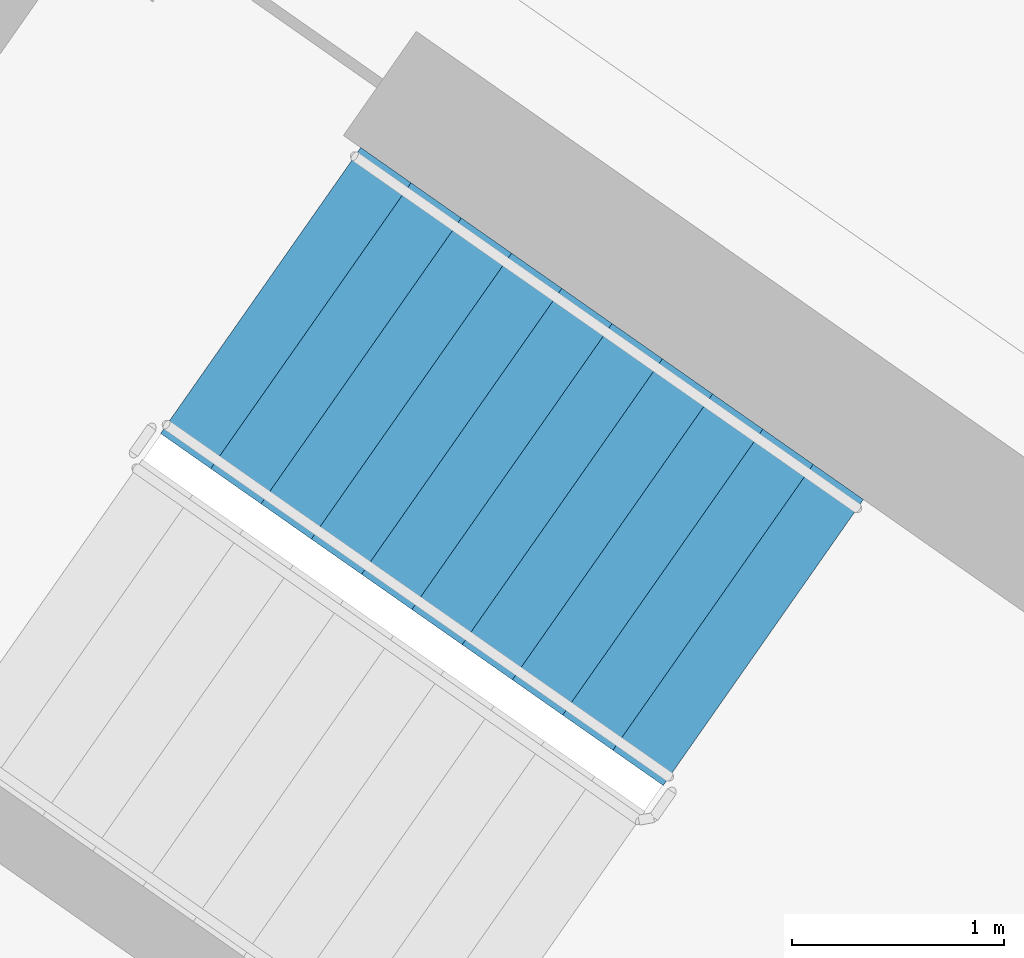
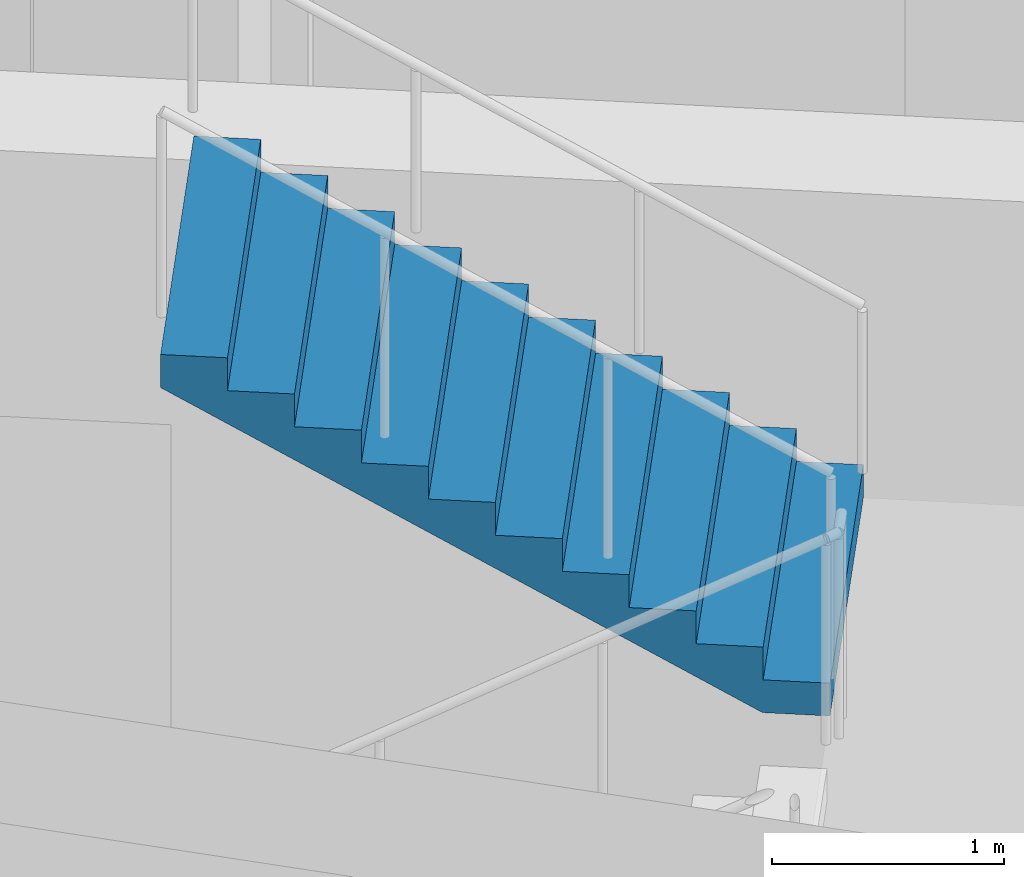
# One storey, part 12 of 29: 1 stair flight, 1 element without a shape of its own.
"""IFC4 building model written with IfcOpenShell, lengths in metres."""

from ifc_helpers import new_model, si_unit, direction, frame, origin, place, context, subcontext, project, spatial, faceted_brep, material, type_object, element, aggregate, save


model = new_model("IFC4")

# Units and contexts
model_context = context("Model", 3, precision=1e-05, world=origin(), true_north=direction((0.0, 1.0)))
body_context = subcontext(model_context, "Body", "Model", "MODEL_VIEW")
ifc_project = project(units=[si_unit("LENGTHUNIT", "METRE"), si_unit("AREAUNIT", "SQUARE_METRE"), si_unit("VOLUMEUNIT", "CUBIC_METRE"), si_unit("PLANEANGLEUNIT", "RADIAN"), si_unit("MASSUNIT", "GRAM", prefix="KILO")], contexts=[model_context])

# Site, building, storey
site_placement = place(None, origin())
site = spatial("IfcSite", under=ifc_project, at=site_placement, CompositionType="ELEMENT")
building_placement = place(site_placement, origin())
building = spatial("IfcBuilding", under=site, at=building_placement, Name="Qamariyya Broadcast Tower", CompositionType="ELEMENT")
storey_placement = place(building_placement, frame((0.0, 0.0, 261.89990234375)))
storey = spatial("IfcBuildingStorey", under=building, at=storey_placement, Name="L63", CompositionType="ELEMENT", Elevation=261.89990234375)

# Stair, stair flight
ifc_material = material(Name="Concrete C50/60", Category="concrete")
stair_type = type_object("IfcStairType", Name="Exit stair 22 risers of 173 mm", PredefinedType="HALF_TURN_STAIR", material=ifc_material)
stair_placement = place(storey_placement, origin())
stair = element("IfcStair", 1, at=stair_placement, inside=storey, type_object=stair_type, Name="L63 Stair W2", PredefinedType="HALF_TURN_STAIR")
stair_flight_type = type_object("IfcStairFlightType", Name="Exit stair flight 11 risers of 173 mm", PredefinedType="STRAIGHT", material=ifc_material)
stair_flight_placement = place(storey_placement, frame((-38.18310546875, -49.3486328125, 1.900146484375), z_axis=(0.0, 0.0, 1.0), x_axis=(-0.819152044289, 0.573576436351, 0.0)))
stair_flight = element("IfcStairFlight", 2, at=stair_flight_placement, type_object=stair_flight_type, Name="ST-W2 flight 2", NumberOfRisers=11, NumberOfTreads=10, PredefinedType="STRAIGHT", RiserHeight=0.172727273, TreadLength=0.29, context=body_context, shape_type="Brep", body=[
    faceted_brep([(0.0, 0.824951171875, 0.0), (0.0, 0.824951171875, 0.172607421875), (0.2900390625, 0.824951171875, 0.172607421875), (0.2900390625, 0.824951171875, 0.345458984375), (0.580078125, 0.824951171875, 0.345458984375), (0.580078125, 0.824951171875, 0.51806640625), (0.8701171875, 0.824951171875, 0.51806640625), (0.8701171875, 0.824951171875, 0.69091796875), (1.159912109375, 0.824951171875, 0.69091796875), (1.159912109375, 0.824951171875, 0.863525390625), (1.449951171875, 0.824951171875, 0.863525390625), (1.449951171875, 0.824951171875, 1.036376953125), (1.739990234375, 0.824951171875, 1.036376953125), (1.739990234375, 0.824951171875, 1.208984375), (2.030029296875, 0.824951171875, 1.208984375), (2.030029296875, 0.824951171875, 1.3818359375), (2.320068359375, 0.824951171875, 1.3818359375), (2.320068359375, 0.824951171875, 1.554443359375), (2.610107421875, 0.824951171875, 1.554443359375), (2.610107421875, 0.824951171875, 1.727294921875), (2.89990234375, 0.824951171875, 1.727294921875), (2.89990234375, 0.824951171875, 1.552734375), (0.29296875, 0.824951171875, 0.0), (0.29296875, -0.824951171875, 0.0), (2.89990234375, -0.824951171875, 1.552734375), (2.89990234375, -0.824951171875, 1.727294921875), (2.610107421875, -0.824951171875, 1.727294921875), (2.610107421875, -0.824951171875, 1.554443359375), (2.320068359375, -0.824951171875, 1.554443359375), (2.320068359375, -0.824951171875, 1.3818359375), (2.030029296875, -0.824951171875, 1.3818359375), (2.030029296875, -0.824951171875, 1.208984375), (1.739990234375, -0.824951171875, 1.208984375), (1.739990234375, -0.824951171875, 1.036376953125), (1.449951171875, -0.824951171875, 1.036376953125), (1.449951171875, -0.824951171875, 0.863525390625), (1.159912109375, -0.824951171875, 0.863525390625), (1.159912109375, -0.824951171875, 0.69091796875), (0.8701171875, -0.824951171875, 0.69091796875), (0.8701171875, -0.824951171875, 0.51806640625), (0.580078125, -0.824951171875, 0.51806640625), (0.580078125, -0.824951171875, 0.345458984375), (0.2900390625, -0.824951171875, 0.345458984375), (0.2900390625, -0.824951171875, 0.172607421875), (0.0, -0.824951171875, 0.172607421875), (0.0, -0.824951171875, 0.0), (0.0, 0.10009765625, 0.0), (0.0, 0.086669921875, 0.0), (0.0, 0.0732421875, 0.0), (0.0, 0.06005859375, 0.0), (0.0, 0.046630859375, 0.0), (0.0, 0.033447265625, 0.0), (0.0, 0.02001953125, 0.0), (0.0, 0.006591796875, 0.0), (0.0, -0.006591796875, 0.0), (0.0, -0.02001953125, 0.0), (0.0, -0.033447265625, 0.0), (0.0, -0.046630859375, 0.0), (0.0, -0.06005859375, 0.0), (0.0, -0.0732421875, 0.0), (0.0, -0.086669921875, 0.0), (0.0, -0.10009765625, 0.0), (0.0, -0.10009765625, 0.172607421875), (0.0, -0.086669921875, 0.172607421875), (0.0, -0.0732421875, 0.172607421875), (0.0, -0.06005859375, 0.172607421875), (0.0, -0.046630859375, 0.172607421875), (0.0, -0.033447265625, 0.172607421875), (0.0, -0.02001953125, 0.172607421875), (0.0, -0.006591796875, 0.172607421875), (0.0, 0.006591796875, 0.172607421875), (0.0, 0.02001953125, 0.172607421875), (0.0, 0.033447265625, 0.172607421875), (0.0, 0.046630859375, 0.172607421875), (0.0, 0.06005859375, 0.172607421875), (0.0, 0.0732421875, 0.172607421875), (0.0, 0.086669921875, 0.172607421875), (0.0, 0.10009765625, 0.172607421875), (0.2900390625, -0.10009765625, 0.172607421875), (0.2900390625, -0.086669921875, 0.172607421875), (0.2900390625, -0.0732421875, 0.172607421875), (0.2900390625, -0.06005859375, 0.172607421875), (0.2900390625, -0.046630859375, 0.172607421875), (0.2900390625, -0.033447265625, 0.172607421875), (0.2900390625, -0.02001953125, 0.172607421875), (0.2900390625, -0.006591796875, 0.172607421875), (0.2900390625, 0.006591796875, 0.172607421875), (0.2900390625, 0.02001953125, 0.172607421875), (0.2900390625, 0.033447265625, 0.172607421875), (0.2900390625, 0.046630859375, 0.172607421875), (0.2900390625, 0.06005859375, 0.172607421875), (0.2900390625, 0.0732421875, 0.172607421875), (0.2900390625, 0.086669921875, 0.172607421875), (0.2900390625, 0.10009765625, 0.172607421875), (0.2900390625, -0.10009765625, 0.345458984375), (0.2900390625, -0.086669921875, 0.345458984375), (0.2900390625, -0.0732421875, 0.345458984375), (0.2900390625, -0.06005859375, 0.345458984375), (0.2900390625, -0.046630859375, 0.345458984375), (0.2900390625, -0.033447265625, 0.345458984375), (0.2900390625, -0.02001953125, 0.345458984375), (0.2900390625, -0.006591796875, 0.345458984375), (0.2900390625, 0.006591796875, 0.345458984375), (0.2900390625, 0.02001953125, 0.345458984375), (0.2900390625, 0.033447265625, 0.345458984375), (0.2900390625, 0.046630859375, 0.345458984375), (0.2900390625, 0.06005859375, 0.345458984375), (0.2900390625, 0.0732421875, 0.345458984375), (0.2900390625, 0.086669921875, 0.345458984375), (0.2900390625, 0.10009765625, 0.345458984375), (0.580078125, -0.10009765625, 0.345458984375), (0.580078125, -0.086669921875, 0.345458984375), (0.580078125, -0.0732421875, 0.345458984375), (0.580078125, -0.06005859375, 0.345458984375), (0.580078125, -0.046630859375, 0.345458984375), (0.580078125, -0.033447265625, 0.345458984375), (0.580078125, -0.02001953125, 0.345458984375), (0.580078125, -0.006591796875, 0.345458984375), (0.580078125, 0.006591796875, 0.345458984375), (0.580078125, 0.02001953125, 0.345458984375), (0.580078125, 0.033447265625, 0.345458984375), (0.580078125, 0.046630859375, 0.345458984375), (0.580078125, 0.06005859375, 0.345458984375), (0.580078125, 0.0732421875, 0.345458984375), (0.580078125, 0.086669921875, 0.345458984375), (0.580078125, 0.10009765625, 0.345458984375), (0.580078125, -0.10009765625, 0.51806640625), (0.580078125, -0.086669921875, 0.51806640625), (0.580078125, -0.0732421875, 0.51806640625), (0.580078125, -0.06005859375, 0.51806640625), (0.580078125, -0.046630859375, 0.51806640625), (0.580078125, -0.033447265625, 0.51806640625), (0.580078125, -0.02001953125, 0.51806640625), (0.580078125, -0.006591796875, 0.51806640625), (0.580078125, 0.006591796875, 0.51806640625), (0.580078125, 0.02001953125, 0.51806640625), (0.580078125, 0.033447265625, 0.51806640625), (0.580078125, 0.046630859375, 0.51806640625), (0.580078125, 0.06005859375, 0.51806640625), (0.580078125, 0.0732421875, 0.51806640625), (0.580078125, 0.086669921875, 0.51806640625), (0.580078125, 0.10009765625, 0.51806640625), (0.8701171875, -0.10009765625, 0.51806640625), (0.8701171875, -0.086669921875, 0.51806640625), (0.8701171875, -0.0732421875, 0.51806640625), (0.8701171875, -0.06005859375, 0.51806640625), (0.8701171875, -0.046630859375, 0.51806640625), (0.8701171875, -0.033447265625, 0.51806640625), (0.8701171875, -0.02001953125, 0.51806640625), (0.8701171875, -0.006591796875, 0.51806640625), (0.8701171875, 0.006591796875, 0.51806640625), (0.8701171875, 0.02001953125, 0.51806640625), (0.8701171875, 0.033447265625, 0.51806640625), (0.8701171875, 0.046630859375, 0.51806640625), (0.8701171875, 0.06005859375, 0.51806640625), (0.8701171875, 0.0732421875, 0.51806640625), (0.8701171875, 0.086669921875, 0.51806640625), (0.8701171875, 0.10009765625, 0.51806640625), (0.8701171875, -0.10009765625, 0.69091796875), (0.8701171875, -0.086669921875, 0.69091796875), (0.8701171875, -0.0732421875, 0.69091796875), (0.8701171875, -0.06005859375, 0.69091796875), (0.8701171875, -0.046630859375, 0.69091796875), (0.8701171875, -0.033447265625, 0.69091796875), (0.8701171875, -0.02001953125, 0.69091796875), (0.8701171875, -0.006591796875, 0.69091796875), (0.8701171875, 0.006591796875, 0.69091796875), (0.8701171875, 0.02001953125, 0.69091796875), (0.8701171875, 0.033447265625, 0.69091796875), (0.8701171875, 0.046630859375, 0.69091796875), (0.8701171875, 0.06005859375, 0.69091796875), (0.8701171875, 0.0732421875, 0.69091796875), (0.8701171875, 0.086669921875, 0.69091796875), (0.8701171875, 0.10009765625, 0.69091796875), (1.159912109375, -0.10009765625, 0.69091796875), (1.159912109375, -0.086669921875, 0.69091796875), (1.159912109375, -0.0732421875, 0.69091796875), (1.159912109375, -0.06005859375, 0.69091796875), (1.159912109375, -0.046630859375, 0.69091796875), (1.159912109375, -0.033447265625, 0.69091796875), (1.159912109375, -0.02001953125, 0.69091796875), (1.159912109375, -0.006591796875, 0.69091796875), (1.159912109375, 0.006591796875, 0.69091796875), (1.159912109375, 0.02001953125, 0.69091796875), (1.159912109375, 0.033447265625, 0.69091796875), (1.159912109375, 0.046630859375, 0.69091796875), (1.159912109375, 0.06005859375, 0.69091796875), (1.159912109375, 0.0732421875, 0.69091796875), (1.159912109375, 0.086669921875, 0.69091796875), (1.159912109375, 0.10009765625, 0.69091796875), (1.159912109375, -0.10009765625, 0.863525390625), (1.159912109375, -0.086669921875, 0.863525390625), (1.159912109375, -0.0732421875, 0.863525390625), (1.159912109375, -0.06005859375, 0.863525390625), (1.159912109375, -0.046630859375, 0.863525390625), (1.159912109375, -0.033447265625, 0.863525390625), (1.159912109375, -0.02001953125, 0.863525390625), (1.159912109375, -0.006591796875, 0.863525390625), (1.159912109375, 0.006591796875, 0.863525390625), (1.159912109375, 0.02001953125, 0.863525390625), (1.159912109375, 0.033447265625, 0.863525390625), (1.159912109375, 0.046630859375, 0.863525390625), (1.159912109375, 0.06005859375, 0.863525390625), (1.159912109375, 0.0732421875, 0.863525390625), (1.159912109375, 0.086669921875, 0.863525390625), (1.159912109375, 0.10009765625, 0.863525390625), (1.449951171875, -0.10009765625, 0.863525390625), (1.449951171875, -0.086669921875, 0.863525390625), (1.449951171875, -0.0732421875, 0.863525390625), (1.449951171875, -0.06005859375, 0.863525390625), (1.449951171875, -0.046630859375, 0.863525390625), (1.449951171875, -0.033447265625, 0.863525390625), (1.449951171875, -0.02001953125, 0.863525390625), (1.449951171875, -0.006591796875, 0.863525390625), (1.449951171875, 0.006591796875, 0.863525390625), (1.449951171875, 0.02001953125, 0.863525390625), (1.449951171875, 0.033447265625, 0.863525390625), (1.449951171875, 0.046630859375, 0.863525390625), (1.449951171875, 0.06005859375, 0.863525390625), (1.449951171875, 0.0732421875, 0.863525390625), (1.449951171875, 0.086669921875, 0.863525390625), (1.449951171875, 0.10009765625, 0.863525390625), (1.449951171875, -0.10009765625, 1.036376953125), (1.449951171875, -0.086669921875, 1.036376953125), (1.449951171875, -0.0732421875, 1.036376953125), (1.449951171875, -0.06005859375, 1.036376953125), (1.449951171875, -0.046630859375, 1.036376953125), (1.449951171875, -0.033447265625, 1.036376953125), (1.449951171875, -0.02001953125, 1.036376953125), (1.449951171875, -0.006591796875, 1.036376953125), (1.449951171875, 0.006591796875, 1.036376953125), (1.449951171875, 0.02001953125, 1.036376953125), (1.449951171875, 0.033447265625, 1.036376953125), (1.449951171875, 0.046630859375, 1.036376953125), (1.449951171875, 0.06005859375, 1.036376953125), (1.449951171875, 0.0732421875, 1.036376953125), (1.449951171875, 0.086669921875, 1.036376953125), (1.449951171875, 0.10009765625, 1.036376953125), (1.739990234375, -0.10009765625, 1.036376953125), (1.739990234375, -0.086669921875, 1.036376953125), (1.739990234375, -0.0732421875, 1.036376953125), (1.739990234375, -0.06005859375, 1.036376953125), (1.739990234375, -0.046630859375, 1.036376953125), (1.739990234375, -0.033447265625, 1.036376953125), (1.739990234375, -0.02001953125, 1.036376953125), (1.739990234375, -0.006591796875, 1.036376953125), (1.739990234375, 0.006591796875, 1.036376953125), (1.739990234375, 0.02001953125, 1.036376953125), (1.739990234375, 0.033447265625, 1.036376953125), (1.739990234375, 0.046630859375, 1.036376953125), (1.739990234375, 0.06005859375, 1.036376953125), (1.739990234375, 0.0732421875, 1.036376953125), (1.739990234375, 0.086669921875, 1.036376953125), (1.739990234375, 0.10009765625, 1.036376953125), (1.739990234375, -0.10009765625, 1.208984375), (1.739990234375, -0.086669921875, 1.208984375), (1.739990234375, -0.0732421875, 1.208984375), (1.739990234375, -0.06005859375, 1.208984375), (1.739990234375, -0.046630859375, 1.208984375), (1.739990234375, -0.033447265625, 1.208984375), (1.739990234375, -0.02001953125, 1.208984375), (1.739990234375, -0.006591796875, 1.208984375), (1.739990234375, 0.006591796875, 1.208984375), (1.739990234375, 0.02001953125, 1.208984375), (1.739990234375, 0.033447265625, 1.208984375), (1.739990234375, 0.046630859375, 1.208984375), (1.739990234375, 0.06005859375, 1.208984375), (1.739990234375, 0.0732421875, 1.208984375), (1.739990234375, 0.086669921875, 1.208984375), (1.739990234375, 0.10009765625, 1.208984375), (2.030029296875, -0.10009765625, 1.208984375), (2.030029296875, -0.086669921875, 1.208984375), (2.030029296875, -0.0732421875, 1.208984375), (2.030029296875, -0.06005859375, 1.208984375), (2.030029296875, -0.046630859375, 1.208984375), (2.030029296875, -0.033447265625, 1.208984375), (2.030029296875, -0.02001953125, 1.208984375), (2.030029296875, -0.006591796875, 1.208984375), (2.030029296875, 0.006591796875, 1.208984375), (2.030029296875, 0.02001953125, 1.208984375), (2.030029296875, 0.033447265625, 1.208984375), (2.030029296875, 0.046630859375, 1.208984375), (2.030029296875, 0.06005859375, 1.208984375), (2.030029296875, 0.0732421875, 1.208984375), (2.030029296875, 0.086669921875, 1.208984375), (2.030029296875, 0.10009765625, 1.208984375), (2.030029296875, -0.10009765625, 1.3818359375), (2.030029296875, -0.086669921875, 1.3818359375), (2.030029296875, -0.0732421875, 1.3818359375), (2.030029296875, -0.06005859375, 1.3818359375), (2.030029296875, -0.046630859375, 1.3818359375), (2.030029296875, -0.033447265625, 1.3818359375), (2.030029296875, -0.02001953125, 1.3818359375), (2.030029296875, -0.006591796875, 1.3818359375), (2.030029296875, 0.006591796875, 1.3818359375), (2.030029296875, 0.02001953125, 1.3818359375), (2.030029296875, 0.033447265625, 1.3818359375), (2.030029296875, 0.046630859375, 1.3818359375), (2.030029296875, 0.06005859375, 1.3818359375), (2.030029296875, 0.0732421875, 1.3818359375), (2.030029296875, 0.086669921875, 1.3818359375), (2.030029296875, 0.10009765625, 1.3818359375), (2.320068359375, -0.10009765625, 1.3818359375), (2.320068359375, -0.086669921875, 1.3818359375), (2.320068359375, -0.0732421875, 1.3818359375), (2.320068359375, -0.06005859375, 1.3818359375), (2.320068359375, -0.046630859375, 1.3818359375), (2.320068359375, -0.033447265625, 1.3818359375), (2.320068359375, -0.02001953125, 1.3818359375), (2.320068359375, -0.006591796875, 1.3818359375), (2.320068359375, 0.006591796875, 1.3818359375), (2.320068359375, 0.02001953125, 1.3818359375), (2.320068359375, 0.033447265625, 1.3818359375), (2.320068359375, 0.046630859375, 1.3818359375), (2.320068359375, 0.06005859375, 1.3818359375), (2.320068359375, 0.0732421875, 1.3818359375), (2.320068359375, 0.086669921875, 1.3818359375), (2.320068359375, 0.10009765625, 1.3818359375), (2.320068359375, -0.10009765625, 1.554443359375), (2.320068359375, -0.086669921875, 1.554443359375), (2.320068359375, -0.0732421875, 1.554443359375), (2.320068359375, -0.06005859375, 1.554443359375), (2.320068359375, -0.046630859375, 1.554443359375), (2.320068359375, -0.033447265625, 1.554443359375), (2.320068359375, -0.02001953125, 1.554443359375), (2.320068359375, -0.006591796875, 1.554443359375), (2.320068359375, 0.006591796875, 1.554443359375), (2.320068359375, 0.02001953125, 1.554443359375), (2.320068359375, 0.033447265625, 1.554443359375), (2.320068359375, 0.046630859375, 1.554443359375), (2.320068359375, 0.06005859375, 1.554443359375), (2.320068359375, 0.0732421875, 1.554443359375), (2.320068359375, 0.086669921875, 1.554443359375), (2.320068359375, 0.10009765625, 1.554443359375), (2.610107421875, -0.10009765625, 1.554443359375), (2.610107421875, -0.086669921875, 1.554443359375), (2.610107421875, -0.0732421875, 1.554443359375), (2.610107421875, -0.06005859375, 1.554443359375), (2.610107421875, -0.046630859375, 1.554443359375), (2.610107421875, -0.033447265625, 1.554443359375), (2.610107421875, -0.02001953125, 1.554443359375), (2.610107421875, -0.006591796875, 1.554443359375), (2.610107421875, 0.006591796875, 1.554443359375), (2.610107421875, 0.02001953125, 1.554443359375), (2.610107421875, 0.033447265625, 1.554443359375), (2.610107421875, 0.046630859375, 1.554443359375), (2.610107421875, 0.06005859375, 1.554443359375), (2.610107421875, 0.0732421875, 1.554443359375), (2.610107421875, 0.086669921875, 1.554443359375), (2.610107421875, 0.10009765625, 1.554443359375), (2.610107421875, -0.10009765625, 1.727294921875), (2.610107421875, -0.086669921875, 1.727294921875), (2.610107421875, -0.0732421875, 1.727294921875), (2.610107421875, -0.06005859375, 1.727294921875), (2.610107421875, -0.046630859375, 1.727294921875), (2.610107421875, -0.033447265625, 1.727294921875), (2.610107421875, -0.02001953125, 1.727294921875), (2.610107421875, -0.006591796875, 1.727294921875), (2.610107421875, 0.006591796875, 1.727294921875), (2.610107421875, 0.02001953125, 1.727294921875), (2.610107421875, 0.033447265625, 1.727294921875), (2.610107421875, 0.046630859375, 1.727294921875), (2.610107421875, 0.06005859375, 1.727294921875), (2.610107421875, 0.0732421875, 1.727294921875), (2.610107421875, 0.086669921875, 1.727294921875), (2.610107421875, 0.10009765625, 1.727294921875), (2.89990234375, -0.10009765625, 1.727294921875), (2.89990234375, -0.086669921875, 1.727294921875), (2.89990234375, -0.0732421875, 1.727294921875), (2.89990234375, -0.06005859375, 1.727294921875), (2.89990234375, -0.046630859375, 1.727294921875), (2.89990234375, -0.033447265625, 1.727294921875), (2.89990234375, -0.02001953125, 1.727294921875), (2.89990234375, -0.006591796875, 1.727294921875), (2.89990234375, 0.006591796875, 1.727294921875), (2.89990234375, 0.02001953125, 1.727294921875), (2.89990234375, 0.033447265625, 1.727294921875), (2.89990234375, 0.046630859375, 1.727294921875), (2.89990234375, 0.06005859375, 1.727294921875), (2.89990234375, 0.0732421875, 1.727294921875), (2.89990234375, 0.086669921875, 1.727294921875), (2.89990234375, 0.10009765625, 1.727294921875), (2.89990234375, -0.10009765625, 1.552734375), (2.89990234375, -0.086669921875, 1.552734375), (2.89990234375, -0.0732421875, 1.552734375), (2.89990234375, -0.06005859375, 1.552734375), (2.89990234375, -0.046630859375, 1.552734375), (2.89990234375, -0.033447265625, 1.552734375), (2.89990234375, -0.02001953125, 1.552734375), (2.89990234375, -0.006591796875, 1.552734375), (2.89990234375, 0.006591796875, 1.552734375), (2.89990234375, 0.02001953125, 1.552734375), (2.89990234375, 0.033447265625, 1.552734375), (2.89990234375, 0.046630859375, 1.552734375), (2.89990234375, 0.06005859375, 1.552734375), (2.89990234375, 0.0732421875, 1.552734375), (2.89990234375, 0.086669921875, 1.552734375), (2.89990234375, 0.10009765625, 1.552734375), (0.29296875, -0.10009765625, 0.0), (0.29296875, -0.086669921875, 0.0), (0.29296875, -0.0732421875, 0.0), (0.29296875, -0.06005859375, 0.0), (0.29296875, -0.046630859375, 0.0), (0.29296875, -0.033447265625, 0.0), (0.29296875, -0.02001953125, 0.0), (0.29296875, -0.006591796875, 0.0), (0.29296875, 0.006591796875, 0.0), (0.29296875, 0.02001953125, 0.0), (0.29296875, 0.033447265625, 0.0), (0.29296875, 0.046630859375, 0.0), (0.29296875, 0.06005859375, 0.0), (0.29296875, 0.0732421875, 0.0), (0.29296875, 0.086669921875, 0.0), (0.29296875, 0.10009765625, 0.0)], [[[0, 1, 2, 3, 4, 5, 6, 7, 8, 9, 10, 11, 12, 13, 14, 15, 16, 17, 18, 19, 20, 21, 22]], [[23, 24, 25, 26, 27, 28, 29, 30, 31, 32, 33, 34, 35, 36, 37, 38, 39, 40, 41, 42, 43, 44, 45]], [[0, 46, 47, 48, 49, 50, 51, 52, 53, 54, 55, 56, 57, 58, 59, 60, 61, 45, 44, 62, 63, 64, 65, 66, 67, 68, 69, 70, 71, 72, 73, 74, 75, 76, 77, 1]], [[1, 77, 76, 75, 74, 73, 72, 71, 70, 69, 68, 67, 66, 65, 64, 63, 62, 44, 43, 78, 79, 80, 81, 82, 83, 84, 85, 86, 87, 88, 89, 90, 91, 92, 93, 2]], [[2, 93, 92, 91, 90, 89, 88, 87, 86, 85, 84, 83, 82, 81, 80, 79, 78, 43, 42, 94, 95, 96, 97, 98, 99, 100, 101, 102, 103, 104, 105, 106, 107, 108, 109, 3]], [[3, 109, 108, 107, 106, 105, 104, 103, 102, 101, 100, 99, 98, 97, 96, 95, 94, 42, 41, 110, 111, 112, 113, 114, 115, 116, 117, 118, 119, 120, 121, 122, 123, 124, 125, 4]], [[4, 125, 124, 123, 122, 121, 120, 119, 118, 117, 116, 115, 114, 113, 112, 111, 110, 41, 40, 126, 127, 128, 129, 130, 131, 132, 133, 134, 135, 136, 137, 138, 139, 140, 141, 5]], [[5, 141, 140, 139, 138, 137, 136, 135, 134, 133, 132, 131, 130, 129, 128, 127, 126, 40, 39, 142, 143, 144, 145, 146, 147, 148, 149, 150, 151, 152, 153, 154, 155, 156, 157, 6]], [[6, 157, 156, 155, 154, 153, 152, 151, 150, 149, 148, 147, 146, 145, 144, 143, 142, 39, 38, 158, 159, 160, 161, 162, 163, 164, 165, 166, 167, 168, 169, 170, 171, 172, 173, 7]], [[7, 173, 172, 171, 170, 169, 168, 167, 166, 165, 164, 163, 162, 161, 160, 159, 158, 38, 37, 174, 175, 176, 177, 178, 179, 180, 181, 182, 183, 184, 185, 186, 187, 188, 189, 8]], [[8, 189, 188, 187, 186, 185, 184, 183, 182, 181, 180, 179, 178, 177, 176, 175, 174, 37, 36, 190, 191, 192, 193, 194, 195, 196, 197, 198, 199, 200, 201, 202, 203, 204, 205, 9]], [[9, 205, 204, 203, 202, 201, 200, 199, 198, 197, 196, 195, 194, 193, 192, 191, 190, 36, 35, 206, 207, 208, 209, 210, 211, 212, 213, 214, 215, 216, 217, 218, 219, 220, 221, 10]], [[10, 221, 220, 219, 218, 217, 216, 215, 214, 213, 212, 211, 210, 209, 208, 207, 206, 35, 34, 222, 223, 224, 225, 226, 227, 228, 229, 230, 231, 232, 233, 234, 235, 236, 237, 11]], [[11, 237, 236, 235, 234, 233, 232, 231, 230, 229, 228, 227, 226, 225, 224, 223, 222, 34, 33, 238, 239, 240, 241, 242, 243, 244, 245, 246, 247, 248, 249, 250, 251, 252, 253, 12]], [[12, 253, 252, 251, 250, 249, 248, 247, 246, 245, 244, 243, 242, 241, 240, 239, 238, 33, 32, 254, 255, 256, 257, 258, 259, 260, 261, 262, 263, 264, 265, 266, 267, 268, 269, 13]], [[13, 269, 268, 267, 266, 265, 264, 263, 262, 261, 260, 259, 258, 257, 256, 255, 254, 32, 31, 270, 271, 272, 273, 274, 275, 276, 277, 278, 279, 280, 281, 282, 283, 284, 285, 14]], [[14, 285, 284, 283, 282, 281, 280, 279, 278, 277, 276, 275, 274, 273, 272, 271, 270, 31, 30, 286, 287, 288, 289, 290, 291, 292, 293, 294, 295, 296, 297, 298, 299, 300, 301, 15]], [[15, 301, 300, 299, 298, 297, 296, 295, 294, 293, 292, 291, 290, 289, 288, 287, 286, 30, 29, 302, 303, 304, 305, 306, 307, 308, 309, 310, 311, 312, 313, 314, 315, 316, 317, 16]], [[16, 317, 316, 315, 314, 313, 312, 311, 310, 309, 308, 307, 306, 305, 304, 303, 302, 29, 28, 318, 319, 320, 321, 322, 323, 324, 325, 326, 327, 328, 329, 330, 331, 332, 333, 17]], [[17, 333, 332, 331, 330, 329, 328, 327, 326, 325, 324, 323, 322, 321, 320, 319, 318, 28, 27, 334, 335, 336, 337, 338, 339, 340, 341, 342, 343, 344, 345, 346, 347, 348, 349, 18]], [[18, 349, 348, 347, 346, 345, 344, 343, 342, 341, 340, 339, 338, 337, 336, 335, 334, 27, 26, 350, 351, 352, 353, 354, 355, 356, 357, 358, 359, 360, 361, 362, 363, 364, 365, 19]], [[19, 365, 364, 363, 362, 361, 360, 359, 358, 357, 356, 355, 354, 353, 352, 351, 350, 26, 25, 366, 367, 368, 369, 370, 371, 372, 373, 374, 375, 376, 377, 378, 379, 380, 381, 20]], [[20, 381, 380, 379, 378, 377, 376, 375, 374, 373, 372, 371, 370, 369, 368, 367, 366, 25, 24, 382, 383, 384, 385, 386, 387, 388, 389, 390, 391, 392, 393, 394, 395, 396, 397, 21]], [[21, 397, 396, 395, 394, 393, 392, 391, 390, 389, 388, 387, 386, 385, 384, 383, 382, 24, 23, 398, 399, 400, 401, 402, 403, 404, 405, 406, 407, 408, 409, 410, 411, 412, 413, 22]], [[22, 413, 412, 411, 410, 409, 408, 407, 406, 405, 404, 403, 402, 401, 400, 399, 398, 23, 45, 61, 60, 59, 58, 57, 56, 55, 54, 53, 52, 51, 50, 49, 48, 47, 46, 0]]]),
])
aggregate(stair, [stair_flight])

save(model, "model.ifc")
